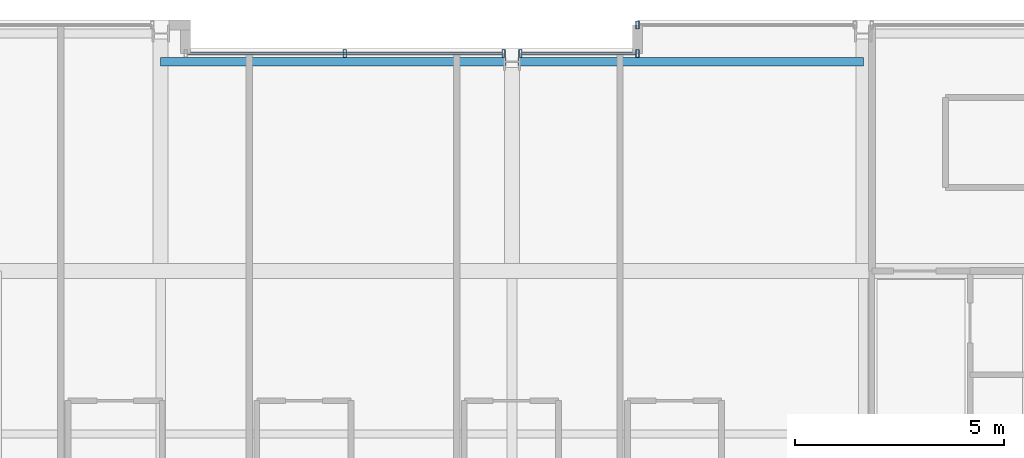
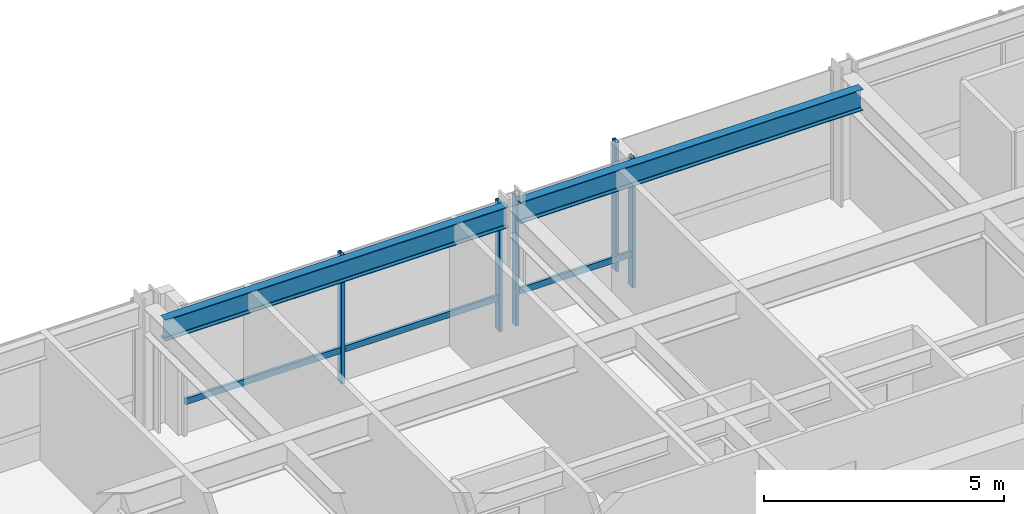
# One storey, part 21 of 32: 7 members, 2 beams, 3 elements without a shape of their own.
"""IFC4 building model written with IfcOpenShell, lengths in metres."""

from ifc_helpers import new_model, si_unit, direction, frame, origin, origin_2d, place, context, subcontext, project, spatial, hollow_rectangle, i_section, extrude, material, layer, layer_set, material_profile, profile_set, type_object, element, aggregate, save


model = new_model("IFC4")

# Units and contexts
model_context = context("Model", 3, precision=1e-05, world=origin(), true_north=direction((0.0, 1.0)))
body_context = subcontext(model_context, "Body", "Model", "MODEL_VIEW")
ifc_project = project(units=[si_unit("LENGTHUNIT", "METRE"), si_unit("AREAUNIT", "SQUARE_METRE"), si_unit("VOLUMEUNIT", "CUBIC_METRE"), si_unit("PLANEANGLEUNIT", "RADIAN"), si_unit("MASSUNIT", "GRAM", prefix="KILO")], contexts=[model_context])

# Site, building, storey
site_placement = place(None, origin())
site = spatial("IfcSite", under=ifc_project, at=site_placement, CompositionType="ELEMENT")
building_placement = place(site_placement, origin())
building = spatial("IfcBuilding", under=site, at=building_placement, Name="Drelvath Grand Hotel", CompositionType="ELEMENT")
storey_placement = place(building_placement, frame((0.0, 0.0, 157.5)))
storey = spatial("IfcBuildingStorey", under=building, at=storey_placement, Name="L40", CompositionType="ELEMENT", Elevation=157.5)

# Curtain wall, member
ifc_material_1 = material(Name="Brushed Pale-Silver Anodised Aluminium Frame", Category="aluminium")
ifc_layer = layer(ifc_material_1, 0.199951171875)
ifc_layer_set = layer_set([ifc_layer], Name="Brushed Pale-Silver Anodised Aluminium Frame")
curtain_wall_type = type_object("IfcCurtainWallType", Name="Stick Curtain Wall CW-04 Brushed Silver Upper-Mid", PredefinedType="NOTDEFINED", material=ifc_layer_set)
curtain_wall_1_placement = place(storey_placement, origin())
curtain_wall_1 = element("IfcCurtainWall", 1, at=curtain_wall_1_placement, inside=storey, type_object=curtain_wall_type, Name="L40 CW-04 Curtain Wall CW04-L40-NM1", PredefinedType="NOTDEFINED")
ifc_material_profile_1 = material_profile(ifc_material_1, hollow_rectangle(XDim=0.06494140625, YDim=0.159912109375, WallThickness=0.00390625, at=origin_2d()), Name="HSS160X65X4")
ifc_profile_set_1 = profile_set([ifc_material_profile_1], Name="Brushed Pale-Silver Anodised Aluminium Frame")
member_type_1 = type_object("IfcMemberType", Name="Curtain Wall Horizontal Transom CW-04 HSS160X65X4", PredefinedType="USERDEFINED", material=ifc_profile_set_1)
member_1_placement = place(storey_placement, frame((-7.760009765625, 48.39990234375, 0.822509765625), z_axis=(1.0, 0.0, 0.0), x_axis=(0.0, 1.0, 0.0)))
member_1 = element("IfcMember", 2, at=member_1_placement, type_object=member_type_1, Name="CW04-L40-NM1 Sill Transom", ObjectType="TRANSOM", PredefinedType="USERDEFINED", context=body_context, shape_type="SweptSolid", body=[
    extrude(hollow_rectangle(XDim=0.06494140625, YDim=0.159912109375, WallThickness=0.00390625, at=origin_2d()), origin(), (0.0, 0.0, 1.0), 7.52001953125),
])

curtain_wall_2_placement = place(storey_placement, origin())
curtain_wall_2 = element("IfcCurtainWall", 3, at=curtain_wall_2_placement, inside=storey, type_object=curtain_wall_type, Name="L40 CW-04 Curtain Wall CW04-L40-NM2", PredefinedType="NOTDEFINED")
member_2_placement = place(storey_placement, frame((0.239990234375, 48.39990234375, 0.822509765625), z_axis=(1.0, 0.0, 0.0), x_axis=(0.0, 1.0, 0.0)))
member_2 = element("IfcMember", 4, at=member_2_placement, type_object=member_type_1, Name="CW04-L40-NM2 Sill Transom", ObjectType="TRANSOM", PredefinedType="USERDEFINED", context=body_context, shape_type="SweptSolid", body=[
    extrude(hollow_rectangle(XDim=0.06494140625, YDim=0.159912109375, WallThickness=0.00390625, at=origin_2d()), origin(), (0.0, 0.0, 1.0), 2.719970703125),
])

# Member
ifc_material_profile_2 = material_profile(ifc_material_1, hollow_rectangle(XDim=0.074951171875, YDim=0.179931640625, WallThickness=0.0048828125, at=origin_2d()), Name="HSS180X75X5")
ifc_profile_set_2 = profile_set([ifc_material_profile_2], Name="Brushed Pale-Silver Anodised Aluminium Frame")
member_type_2 = type_object("IfcMemberType", Name="Curtain Wall Vertical Mullion CW-04 HSS180X75X5", PredefinedType="MULLION", material=ifc_profile_set_2)
member_3_placement = place(storey_placement, frame((-4.0, 48.39990234375, 0.0), z_axis=(0.0, 0.0, 1.0), x_axis=(1.0, 0.0, 0.0)))
member_3 = element("IfcMember", 5, at=member_3_placement, type_object=member_type_2, Name="CW04-L40-NM1 Mullion 2", PredefinedType="MULLION", context=body_context, shape_type="SweptSolid", body=[
    extrude(hollow_rectangle(XDim=0.074951171875, YDim=0.179931640625, WallThickness=0.0048828125, at=origin_2d()), origin(), (0.0, 0.0, 1.0), 3.2900390625),
])

member_4_placement = place(storey_placement, frame((-0.2001953125, 48.39990234375, 0.0), z_axis=(0.0, 0.0, 1.0), x_axis=(1.0, 0.0, 0.0)))
member_4 = element("IfcMember", 6, at=member_4_placement, type_object=member_type_2, Name="CW04-L40-NM1 Mullion 3", PredefinedType="MULLION", context=body_context, shape_type="SweptSolid", body=[
    extrude(hollow_rectangle(XDim=0.074951171875, YDim=0.179931640625, WallThickness=0.0048828125, at=origin_2d()), origin(), (0.0, 0.0, 1.0), 3.2900390625),
])

aggregate(curtain_wall_1, [member_3, member_4, member_1])

member_5_placement = place(storey_placement, frame((0.2001953125, 48.39990234375, 0.0), z_axis=(0.0, 0.0, 1.0), x_axis=(1.0, 0.0, 0.0)))
member_5 = element("IfcMember", 7, at=member_5_placement, type_object=member_type_2, Name="CW04-L40-NM2 Mullion 1", PredefinedType="MULLION", context=body_context, shape_type="SweptSolid", body=[
    extrude(hollow_rectangle(XDim=0.074951171875, YDim=0.179931640625, WallThickness=0.0048828125, at=origin_2d()), origin(), (0.0, 0.0, 1.0), 3.2900390625),
])

member_6_placement = place(storey_placement, frame((3.0, 48.39990234375, 0.0), z_axis=(0.0, 0.0, 1.0), x_axis=(1.0, 0.0, 0.0)))
member_6 = element("IfcMember", 8, at=member_6_placement, type_object=member_type_2, Name="CW04-L40-NM2 Mullion 2", PredefinedType="MULLION", context=body_context, shape_type="SweptSolid", body=[
    extrude(hollow_rectangle(XDim=0.074951171875, YDim=0.179931640625, WallThickness=0.0048828125, at=origin_2d()), origin(), (0.0, 0.0, 1.0), 3.2900390625),
])

aggregate(curtain_wall_2, [member_5, member_6, member_2])

# Curtain wall, member
curtain_wall_3_placement = place(storey_placement, origin())
curtain_wall_3 = element("IfcCurtainWall", 9, at=curtain_wall_3_placement, inside=storey, type_object=curtain_wall_type, Name="L40 CW-04 Curtain Wall CW04-L40-NE1", PredefinedType="NOTDEFINED")
member_7_placement = place(storey_placement, frame((3.0, 49.080078125, 0.0), z_axis=(0.0, 0.0, 1.0), x_axis=(1.0, 0.0, 0.0)))
member_7 = element("IfcMember", 10, at=member_7_placement, type_object=member_type_2, Name="CW04-L40-NE1 Mullion 1", PredefinedType="MULLION", context=body_context, shape_type="SweptSolid", body=[
    extrude(hollow_rectangle(XDim=0.074951171875, YDim=0.179931640625, WallThickness=0.0048828125, at=origin_2d()), origin(), (0.0, 0.0, 1.0), 3.2900390625),
])
aggregate(curtain_wall_3, [member_7])

# Beams
ifc_material_2 = material(Name="Steel ASTM A992 Gr 50", Category="steel")
ifc_material_profile_3 = material_profile(ifc_material_2, i_section(OverallWidth=0.210205078125, OverallDepth=0.53662109375, WebThickness=0.010986328125, FlangeThickness=0.017333984375, FilletRadius=0.01806640625, at=origin_2d()), Name="W21X68")
ifc_profile_set_3 = profile_set([ifc_material_profile_3], Name="Steel ASTM A992 Gr 50")
beam_type = type_object("IfcBeamType", Name="Perimeter Spandrel Beam W21X68", PredefinedType="SPANDREL", material=ifc_profile_set_3)
for number, where, z_axis, x_axis, name in (
    (11, (-8.39990234375, 48.199951171875, 3.021484375), (1.0, 0.0, 0.0), (0.0, 1.0, 0.0), "L40 Spandrel North Mid W"),
    (12, (0.139892578125, 48.199951171875, 3.021484375), (1.0, 0.0, 0.0), (0.0, 1.0, 0.0), "L40 Spandrel North Mid E"),
):
    element("IfcBeam", number, at=place(storey_placement, frame(where, z_axis=z_axis, x_axis=x_axis)), inside=storey, type_object=beam_type, Name=name, PredefinedType="SPANDREL", context=body_context, shape_type="SweptSolid", body=[
        extrude(i_section(OverallWidth=0.210205078125, OverallDepth=0.53662109375, WebThickness=0.010986328125, FlangeThickness=0.017333984375, FilletRadius=0.01806640625, at=origin_2d()), origin(), (0.0, 0.0, 1.0), 8.260009765625),
    ])

save(model, "model.ifc")
